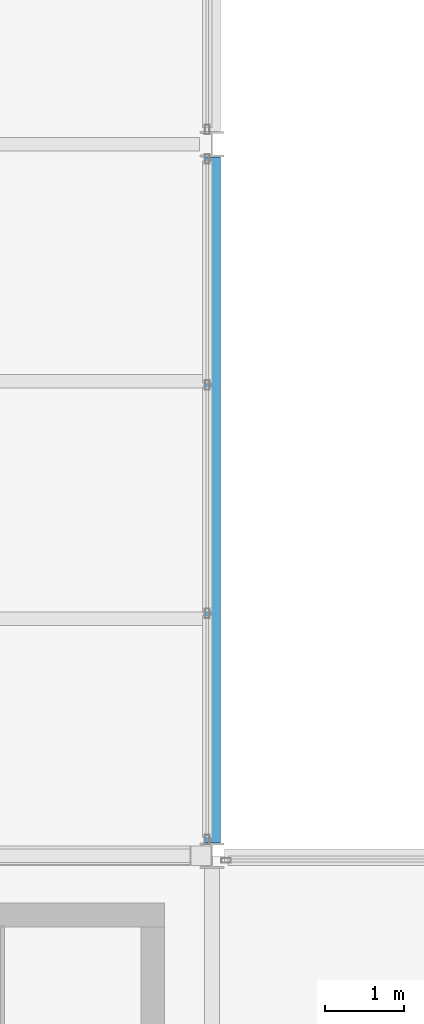
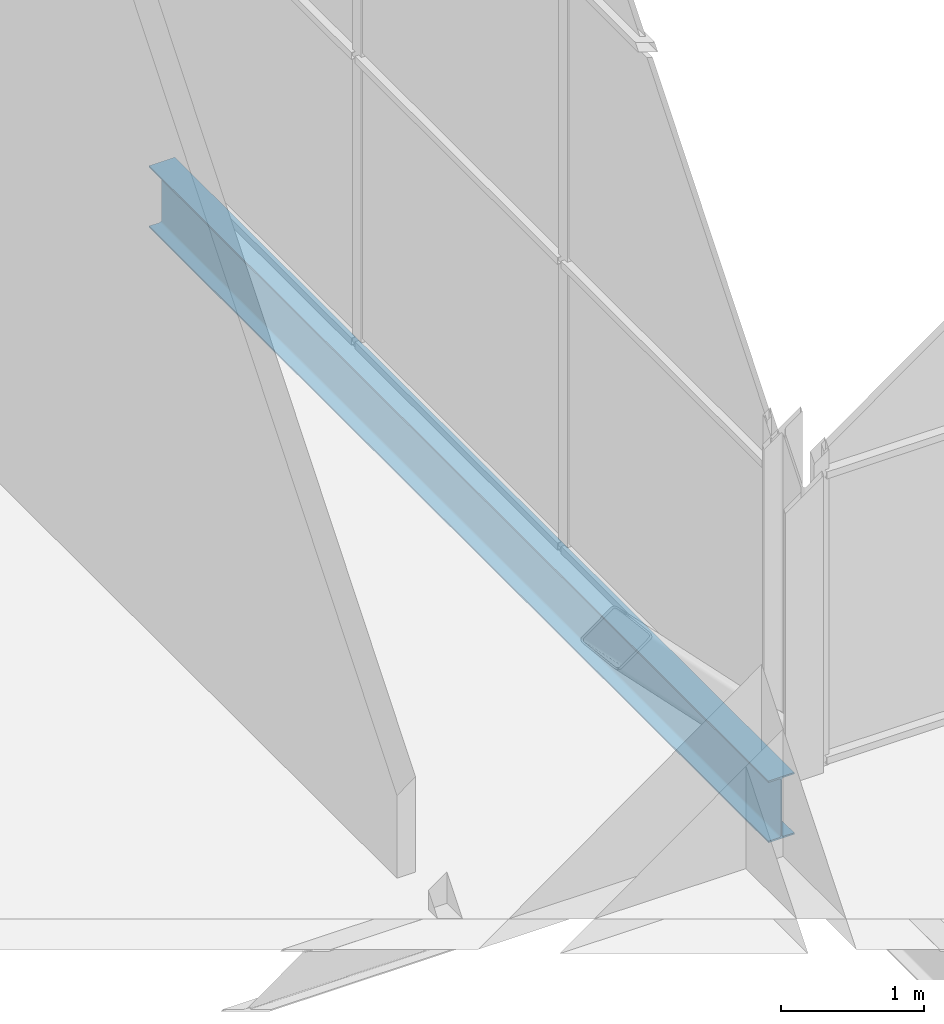
# One storey, part 33 of 111: 1 beam.
"""IFC4 building model written with IfcOpenShell, lengths in metres."""

from ifc_helpers import new_model, si_unit, direction, frame, origin, origin_2d, place, context, subcontext, project, spatial, i_section, extrude, material, material_profile, profile_set, type_object, element, save


model = new_model("IFC4")

# Units and contexts
model_context = context("Model", 3, precision=1e-05, world=origin(), true_north=direction((0.0, 1.0)))
body_context = subcontext(model_context, "Body", "Model", "MODEL_VIEW")
ifc_project = project(units=[si_unit("LENGTHUNIT", "METRE"), si_unit("AREAUNIT", "SQUARE_METRE"), si_unit("VOLUMEUNIT", "CUBIC_METRE"), si_unit("PLANEANGLEUNIT", "RADIAN"), si_unit("MASSUNIT", "GRAM", prefix="KILO")], contexts=[model_context])

# Site, building, storey
site_placement = place(None, origin())
site = spatial("IfcSite", under=ifc_project, at=site_placement, CompositionType="ELEMENT")
building_placement = place(site_placement, origin())
building = spatial("IfcBuilding", under=site, at=building_placement, Name="Shorebreak Coast Museum", CompositionType="ELEMENT")
storey_placement = place(building_placement, frame((0.0, 0.0, 16.0)))
storey = spatial("IfcBuildingStorey", under=building, at=storey_placement, Name="L03", CompositionType="ELEMENT", Elevation=16.0)

# Beam
ifc_material = material(Name="Steel Grade 300", Category="steel")
ifc_material_profile = material_profile(ifc_material, i_section(OverallWidth=0.208984375, OverallDepth=0.5283203125, WebThickness=0.009521484375, FlangeThickness=0.01318359375, FilletRadius=0.013916015625, at=origin_2d()), Name="530UB82.0")
ifc_profile_set = profile_set([ifc_material_profile], Name="Steel Grade 300")
beam_type = type_object("IfcBeamType", Name="Floor girder north-south 530UB82.0", PredefinedType="BEAM", material=ifc_profile_set)
beam_placement = place(storey_placement, frame((63.0, 63.16357421875, -0.439208984375), z_axis=(0.0, 1.0, 0.0), x_axis=(-1.0, 0.0, 0.0)))
element("IfcBeam", 1, at=beam_placement, inside=storey, type_object=beam_type, Name="Floor girder north-south L03 8H", PredefinedType="BEAM", context=body_context, shape_type="SweptSolid", body=[
    extrude(i_section(OverallWidth=0.208984375, OverallDepth=0.5283203125, WebThickness=0.009521484375, FlangeThickness=0.01318359375, FilletRadius=0.013916015625, at=origin_2d()), origin(), (0.0, 0.0, 1.0), 8.6728515625),
])

save(model, "model.ifc")
